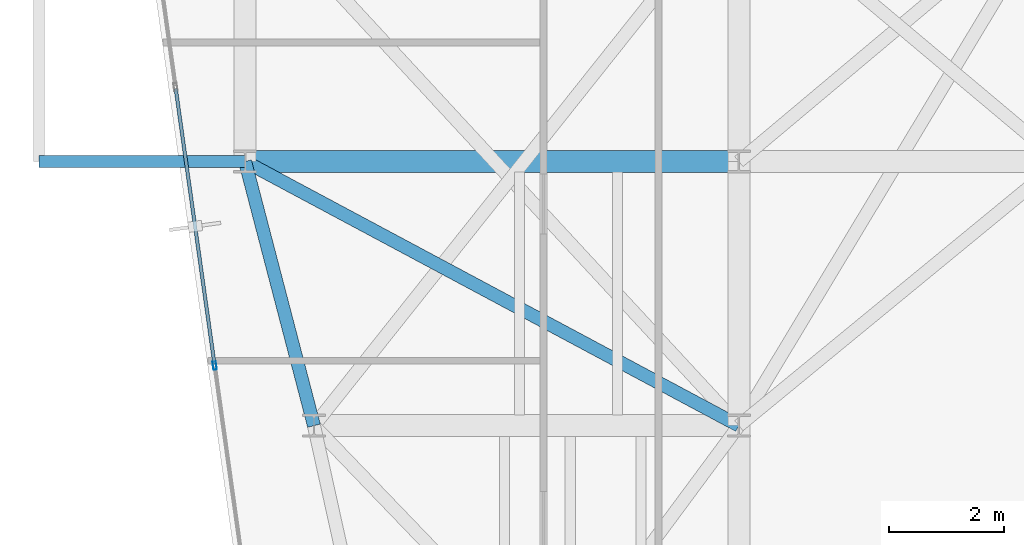
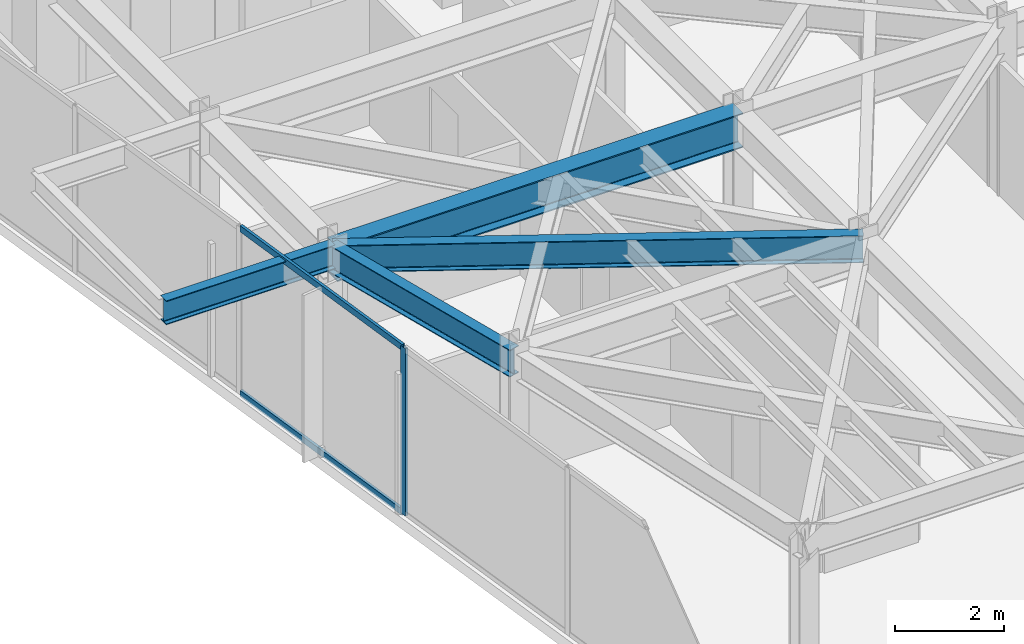
# One storey, part 4 of 26: 4 beams, 3 members, 1 element without a shape of its own.
"""IFC4 building model written with IfcOpenShell, lengths in metres."""

from ifc_helpers import new_model, si_unit, direction, frame, origin, origin_2d, place, context, subcontext, project, spatial, hollow_rectangle, i_section, extrude, material, layer, layer_set, material_profile, profile_set, type_object, element, aggregate, save


model = new_model("IFC4")

# Units and contexts
model_context = context("Model", 3, precision=1e-05, world=origin(), true_north=direction((0.0, 1.0)))
body_context = subcontext(model_context, "Body", "Model", "MODEL_VIEW")
ifc_project = project(units=[si_unit("LENGTHUNIT", "METRE"), si_unit("AREAUNIT", "SQUARE_METRE"), si_unit("VOLUMEUNIT", "CUBIC_METRE"), si_unit("PLANEANGLEUNIT", "RADIAN"), si_unit("MASSUNIT", "GRAM", prefix="KILO")], contexts=[model_context])

# Site, building, storey
site_placement = place(None, origin())
site = spatial("IfcSite", under=ifc_project, at=site_placement, CompositionType="ELEMENT")
building_placement = place(site_placement, origin())
building = spatial("IfcBuilding", under=site, at=building_placement, Name="Kravanh Interchange Tower", CompositionType="ELEMENT")
storey_placement = place(building_placement, frame((0.0, 0.0, 212.5)))
storey = spatial("IfcBuildingStorey", under=building, at=storey_placement, Name="L51", CompositionType="ELEMENT", Elevation=212.5)

# Curtain wall, members
ifc_material_1 = material(Name="Anodised Bronze Aluminium", Category="aluminium")
ifc_layer = layer(ifc_material_1, 0.179931640625)
ifc_layer_set = layer_set([ifc_layer], Name="Unitised Curtain Wall System CW-Z3 Upper Office")
curtain_wall_type = type_object("IfcCurtainWallType", Name="Unitised Curtain Wall System CW-Z3 Upper Office", PredefinedType="NOTDEFINED", material=ifc_layer_set)
curtain_wall_placement = place(storey_placement, origin())
curtain_wall = element("IfcCurtainWall", 1, at=curtain_wall_placement, inside=storey, type_object=curtain_wall_type, Name="L51 Unitised Curtain Wall CW-L51-01", PredefinedType="NOTDEFINED")
ifc_material_2 = material(Name="Anodised Bronze Aluminium", Category="aluminium")
ifc_material_profile_1 = material_profile(ifc_material_2, hollow_rectangle(XDim=0.06005859375, YDim=0.139892578125, WallThickness=0.00390625, at=origin_2d()), Name="ALU60X140X4")
ifc_profile_set_1 = profile_set([ifc_material_profile_1], Name="Anodised Bronze Aluminium")
member_type_1 = type_object("IfcMemberType", Name="Curtain Wall Mullion ALU60X140X4 Bronze", PredefinedType="MULLION", material=ifc_profile_set_1)
member_1_placement = place(storey_placement, frame((18.070556640625, 23.244384765625, 0.0), z_axis=(0.0, 0.0, 1.0), x_axis=(-0.990268194035, -0.139172209446, 0.0)))
member_1 = element("IfcMember", 2, at=member_1_placement, type_object=member_type_1, Name="CW-Z3 mullion 3", PredefinedType="MULLION", context=body_context, shape_type="SweptSolid", body=[
    extrude(hollow_rectangle(XDim=0.06005859375, YDim=0.139892578125, WallThickness=0.00390625, at=origin_2d()), origin(), (0.0, 0.0, 1.0), 3.7548828125),
])
ifc_material_3 = material(Name="Anodised Bronze Aluminium", Category="aluminium")
ifc_material_profile_2 = material_profile(ifc_material_3, hollow_rectangle(XDim=0.06005859375, YDim=0.139892578125, WallThickness=0.00390625, at=origin_2d()), Name="ALU60X140X4")
ifc_profile_set_2 = profile_set([ifc_material_profile_2], Name="Anodised Bronze Aluminium")
member_type_2 = type_object("IfcMemberType", Name="Curtain Wall Transom ALU60X140X4 Bronze", PredefinedType="USERDEFINED", material=ifc_profile_set_2)
member_2_placement = place(storey_placement, frame((18.06640625, 23.274169921875, 0.030029296875), z_axis=(-0.139182174391, 0.990266793512, 0.0), x_axis=(-0.990266793512, -0.139182174391, 0.0)))
member_2 = element("IfcMember", 3, at=member_2_placement, type_object=member_type_2, Name="CW-Z3 transom 3.1", ObjectType="TRANSOM", PredefinedType="USERDEFINED", context=body_context, shape_type="SweptSolid", body=[
    extrude(hollow_rectangle(XDim=0.06005859375, YDim=0.139892578125, WallThickness=0.00390625, at=origin_2d()), origin(), (0.0, 0.0, 1.0), 4.839599609375),
])
member_3_placement = place(storey_placement, frame((18.06640625, 23.274169921875, 3.72509765625), z_axis=(-0.139182174391, 0.990266793512, 0.0), x_axis=(-0.990266793512, -0.139182174391, 0.0)))
member_3 = element("IfcMember", 4, at=member_3_placement, type_object=member_type_2, Name="CW-Z3 transom 3.2", ObjectType="TRANSOM", PredefinedType="USERDEFINED", context=body_context, shape_type="SweptSolid", body=[
    extrude(hollow_rectangle(XDim=0.06005859375, YDim=0.139892578125, WallThickness=0.00390625, at=origin_2d()), origin(), (0.0, 0.0, 1.0), 4.839599609375),
])
aggregate(curtain_wall, [member_1, member_2, member_3])

# Beams
ifc_material_4 = material(Name="Structural Steel S355", Category="steel")
ifc_material_profile_3 = material_profile(ifc_material_4, i_section(OverallWidth=0.381103515625, OverallDepth=0.77294921875, WebThickness=0.0166015625, FlangeThickness=0.027099609375, FilletRadius=0.02490234375, at=origin_2d()), Name="W30X173")
ifc_profile_set_3 = profile_set([ifc_material_profile_3], Name="Structural Steel S355")
beam_type_1 = type_object("IfcBeamType", Name="Floor Beam W30X173 Structural Steel S355", PredefinedType="BEAM", material=ifc_profile_set_3)
beam_1_placement = place(storey_placement, frame((18.60009765625, 26.800048828125, 3.368408203125), z_axis=(1.0, 0.0, 0.0), x_axis=(0.0, 1.0, 0.0)))
element("IfcBeam", 5, at=beam_1_placement, inside=storey, type_object=beam_type_1, Name="L51 Primary Floor Girder 35", PredefinedType="BEAM", context=body_context, shape_type="SweptSolid", body=[
    extrude(i_section(OverallWidth=0.381103515625, OverallDepth=0.77294921875, WebThickness=0.0166015625, FlangeThickness=0.027099609375, FilletRadius=0.02490234375, at=origin_2d()), origin(), (0.0, 0.0, 1.0), 8.599853515625),
])
ifc_material_5 = material(Name="Structural Steel S355", Category="steel")
ifc_material_profile_4 = material_profile(ifc_material_5, i_section(OverallWidth=0.2099609375, OverallDepth=0.537109375, WebThickness=0.010986328125, FlangeThickness=0.017333984375, FilletRadius=0.02001953125, at=origin_2d()), Name="W21X68")
ifc_profile_set_4 = profile_set([ifc_material_profile_4], Name="Structural Steel S355")
beam_type_2 = type_object("IfcBeamType", Name="Floor Spandrel W21X68 Structural Steel S355", PredefinedType="SPANDREL", material=ifc_profile_set_4)
beam_2_placement = place(storey_placement, frame((18.60009765625, 26.800048828125, 3.486572265625), z_axis=(-1.0, 0.0, 0.0), x_axis=(0.0, -1.0, 0.0)))
element("IfcBeam", 6, at=beam_2_placement, inside=storey, type_object=beam_type_2, Name="L51 Balcony Cantilever Outrigger W1", PredefinedType="SPANDREL", context=body_context, shape_type="SweptSolid", body=[
    extrude(i_section(OverallWidth=0.2099609375, OverallDepth=0.537109375, WebThickness=0.010986328125, FlangeThickness=0.017333984375, FilletRadius=0.02001953125, at=origin_2d()), origin(), (0.0, 0.0, 1.0), 3.587158203125),
])
ifc_material_6 = material(Name="Structural Steel S355", Category="steel")
ifc_material_profile_5 = material_profile(ifc_material_6, i_section(OverallWidth=0.22802734375, OverallDepth=0.60791015625, WebThickness=0.01123046875, FlangeThickness=0.017333984375, FilletRadius=0.02197265625, at=origin_2d()), Name="W24X76")
ifc_profile_set_5 = profile_set([ifc_material_profile_5], Name="Structural Steel S355")
beam_type_3 = type_object("IfcBeamType", Name="Floor Spandrel W24X76 Structural Steel S355", PredefinedType="SPANDREL", material=ifc_profile_set_5)
beam_3_placement = place(storey_placement, frame((18.60009765625, 26.800048828125, 3.450927734375), z_axis=(0.252407263364, -0.967621089787, 0.0), x_axis=(0.967621089787, 0.252407263364, 0.0)))
element("IfcBeam", 7, at=beam_3_placement, inside=storey, type_object=beam_type_3, Name="L51 Perimeter Spandrel 34", PredefinedType="SPANDREL", context=body_context, shape_type="SweptSolid", body=[
    extrude(i_section(OverallWidth=0.22802734375, OverallDepth=0.60791015625, WebThickness=0.01123046875, FlangeThickness=0.017333984375, FilletRadius=0.02197265625, at=origin_2d()), origin(), (0.0, 0.0, 1.0), 4.75390625),
])
beam_4_placement = place(storey_placement, frame((18.60009765625, 26.800048828125, 3.450927734375), z_axis=(0.881777136221, -0.471666282489, 0.0), x_axis=(0.471666282489, 0.881777136221, 0.0)))
element("IfcBeam", 8, at=beam_4_placement, inside=storey, type_object=beam_type_3, Name="L51 Perimeter Spandrel 36", PredefinedType="SPANDREL", context=body_context, shape_type="SweptSolid", body=[
    extrude(i_section(OverallWidth=0.22802734375, OverallDepth=0.60791015625, WebThickness=0.01123046875, FlangeThickness=0.017333984375, FilletRadius=0.02197265625, at=origin_2d()), origin(), (0.0, 0.0, 1.0), 9.7529296875),
])

save(model, "model.ifc")
